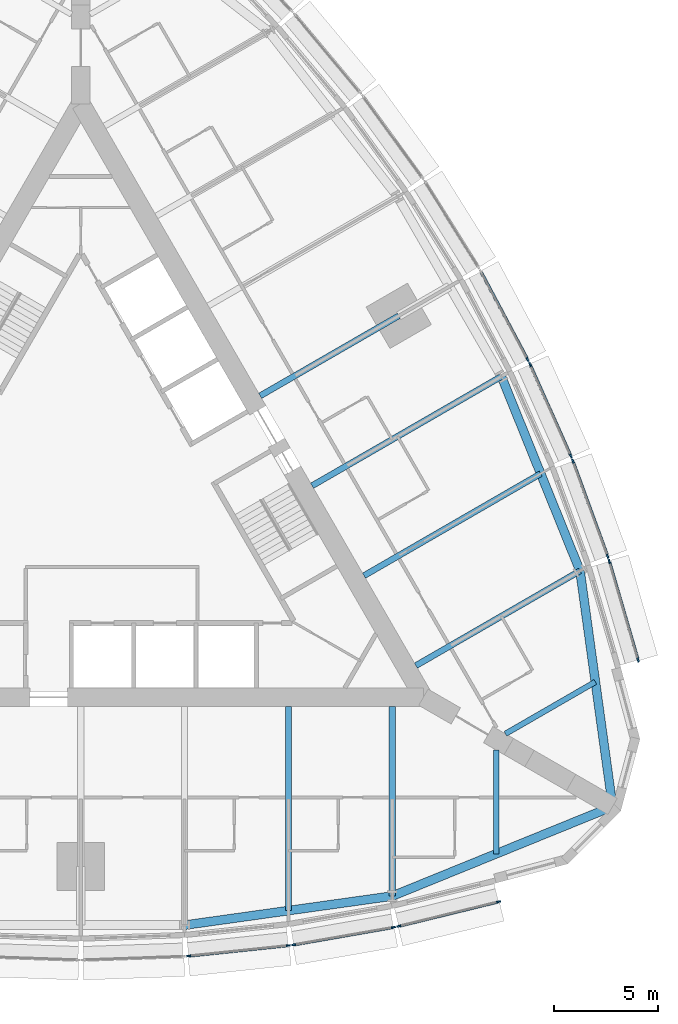
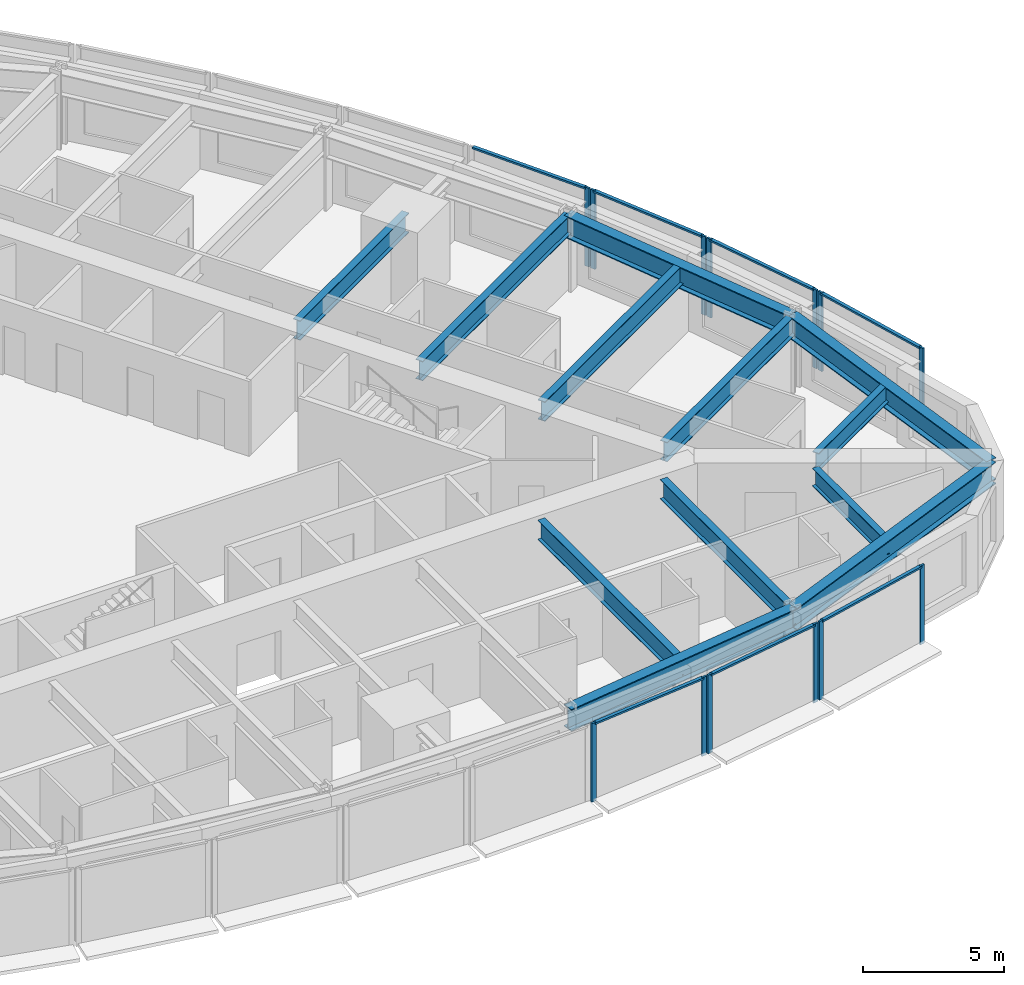
# One storey, part 3 of 14: 20 members, 12 beams, 7 elements without a shape of their own.
"""IFC4 building model written with IfcOpenShell, lengths in metres."""

from ifc_helpers import new_model, si_unit, direction, frame, origin, origin_2d, place, context, subcontext, project, spatial, rectangle, i_section, extrude, material, material_profile, profile_set, type_object, element, aggregate, save


model = new_model("IFC4")

# Units and contexts
model_context = context("Model", 3, precision=1e-05, world=origin(), true_north=direction((0.0, 1.0)))
body_context = subcontext(model_context, "Body", "Model", "MODEL_VIEW")
ifc_project = project(units=[si_unit("LENGTHUNIT", "METRE"), si_unit("AREAUNIT", "SQUARE_METRE"), si_unit("VOLUMEUNIT", "CUBIC_METRE"), si_unit("PLANEANGLEUNIT", "RADIAN"), si_unit("MASSUNIT", "GRAM", prefix="KILO")], contexts=[model_context])

# Site, building, storey
site_placement = place(None, origin())
site = spatial("IfcSite", under=ifc_project, at=site_placement, CompositionType="ELEMENT")
building_placement = place(site_placement, origin())
building = spatial("IfcBuilding", under=site, at=building_placement, Name="Trikona Tower", CompositionType="ELEMENT")
storey_placement = place(building_placement, frame((0.0, 0.0, 145.300048828125)))
storey = spatial("IfcBuildingStorey", under=building, at=storey_placement, Name="L38", CompositionType="ELEMENT", Elevation=145.300048828125)

# Curtain wall, members
ifc_material_1 = material(Name="Aluminium curtain wall system", Category="aluminium")
curtain_wall_type = type_object("IfcCurtainWallType", Name="Curtain wall DS2", PredefinedType="NOTDEFINED", material=ifc_material_1)
curtain_wall_1_placement = place(storey_placement, origin())
curtain_wall_1 = element("IfcCurtainWall", 1, at=curtain_wall_1_placement, inside=storey, type_object=curtain_wall_type, Name="Curtain wall DS2 L38", PredefinedType="NOTDEFINED")
ifc_material_2 = material(Name="Aluminium mullion, pale anodised", Category="aluminium")
ifc_material_profile_1 = material_profile(ifc_material_2, rectangle(XDim=0.080078125, YDim=0.199951171875, at=origin_2d()), Name="MUL-DS2")
ifc_profile_set_1 = profile_set([ifc_material_profile_1], Name="Aluminium mullion, pale anodised")
member_type_1 = type_object("IfcMemberType", Name="Mullion DS2 80x200", PredefinedType="MULLION", material=ifc_profile_set_1)
member_1_placement = place(storey_placement, frame((5.193359375, -21.98486328125, 0.0), z_axis=(0.0, 0.0, 1.0), x_axis=(-0.104433387357, 0.994531883654, 0.0)))
member_1 = element("IfcMember", 2, at=member_1_placement, type_object=member_type_1, Name="CW-DS2 mullion 1", PredefinedType="MULLION", context=body_context, shape_type="SweptSolid", body=[
    extrude(rectangle(XDim=0.080078125, YDim=0.199951171875, at=origin_2d()), origin(), (0.0, 0.0, 1.0), 3.39990234375),
])
member_2_placement = place(storey_placement, frame((9.99462890625, -21.480712890625, 0.0), z_axis=(0.0, 0.0, 1.0), x_axis=(-0.104433387357, 0.994531883654, 0.0)))
member_2 = element("IfcMember", 3, at=member_2_placement, type_object=member_type_1, Name="CW-DS2 mullion 2", PredefinedType="MULLION", context=body_context, shape_type="SweptSolid", body=[
    extrude(rectangle(XDim=0.080078125, YDim=0.199951171875, at=origin_2d()), origin(), (0.0, 0.0, 1.0), 3.39990234375),
])

curtain_wall_2_placement = place(storey_placement, origin())
curtain_wall_2 = element("IfcCurtainWall", 4, at=curtain_wall_2_placement, inside=storey, type_object=curtain_wall_type, Name="Curtain wall DS2 L38", PredefinedType="NOTDEFINED")
member_3_placement = place(storey_placement, frame((10.253662109375, -21.444580078125, 0.0), z_axis=(0.0, 0.0, 1.0), x_axis=(-0.17237739505, 0.985030981074, 0.0)))
member_3 = element("IfcMember", 5, at=member_3_placement, type_object=member_type_1, Name="CW-DS2 mullion 1", PredefinedType="MULLION", context=body_context, shape_type="SweptSolid", body=[
    extrude(rectangle(XDim=0.080078125, YDim=0.199951171875, at=origin_2d()), origin(), (0.0, 0.0, 1.0), 3.39990234375),
])
member_4_placement = place(storey_placement, frame((15.056640625, -20.60400390625, 0.0), z_axis=(0.0, 0.0, 1.0), x_axis=(-0.17237739505, 0.985030981074, 0.0)))
member_4 = element("IfcMember", 6, at=member_4_placement, type_object=member_type_1, Name="CW-DS2 mullion 2", PredefinedType="MULLION", context=body_context, shape_type="SweptSolid", body=[
    extrude(rectangle(XDim=0.080078125, YDim=0.199951171875, at=origin_2d()), origin(), (0.0, 0.0, 1.0), 3.39990234375),
])

curtain_wall_3_placement = place(storey_placement, origin())
curtain_wall_3 = element("IfcCurtainWall", 7, at=curtain_wall_3_placement, inside=storey, type_object=curtain_wall_type, Name="Curtain wall DS2 L38", PredefinedType="NOTDEFINED")
member_5_placement = place(storey_placement, frame((15.311279296875, -20.550537109375, 0.0), z_axis=(0.0, 0.0, 1.0), x_axis=(-0.237970204243, 0.971272455026, 0.0)))
member_5 = element("IfcMember", 8, at=member_5_placement, type_object=member_type_1, Name="CW-DS2 mullion 1", PredefinedType="MULLION", context=body_context, shape_type="SweptSolid", body=[
    extrude(rectangle(XDim=0.080078125, YDim=0.199951171875, at=origin_2d()), origin(), (0.0, 0.0, 1.0), 3.39990234375),
])
member_6_placement = place(storey_placement, frame((20.116943359375, -19.373046875, 0.0), z_axis=(0.0, 0.0, 1.0), x_axis=(-0.237970204243, 0.971272455026, 0.0)))
member_6 = element("IfcMember", 9, at=member_6_placement, type_object=member_type_1, Name="CW-DS2 mullion 2", PredefinedType="MULLION", context=body_context, shape_type="SweptSolid", body=[
    extrude(rectangle(XDim=0.080078125, YDim=0.199951171875, at=origin_2d()), origin(), (0.0, 0.0, 1.0), 3.39990234375),
])

curtain_wall_4_placement = place(storey_placement, origin())
curtain_wall_4 = element("IfcCurtainWall", 10, at=curtain_wall_4_placement, inside=storey, type_object=curtain_wall_type, Name="Curtain wall DS2 L38", PredefinedType="NOTDEFINED")
member_7_placement = place(storey_placement, frame((26.836181640625, -7.7353515625, 0.0), z_axis=(0.0, 0.0, 1.0), x_axis=(-0.96013310152, -0.279543247757, 0.0)))
member_7 = element("IfcMember", 11, at=member_7_placement, type_object=member_type_1, Name="CW-DS2 mullion 1", PredefinedType="MULLION", context=body_context, shape_type="SweptSolid", body=[
    extrude(rectangle(XDim=0.080078125, YDim=0.199951171875, at=origin_2d()), origin(), (0.0, 0.0, 1.0), 3.39990234375),
])
member_8_placement = place(storey_placement, frame((25.452880859375, -2.984619140625, 0.0), z_axis=(0.0, 0.0, 1.0), x_axis=(-0.96013310152, -0.279543247757, 0.0)))
member_8 = element("IfcMember", 12, at=member_8_placement, type_object=member_type_1, Name="CW-DS2 mullion 2", PredefinedType="MULLION", context=body_context, shape_type="SweptSolid", body=[
    extrude(rectangle(XDim=0.080078125, YDim=0.199951171875, at=origin_2d()), origin(), (0.0, 0.0, 1.0), 3.39990234375),
])

curtain_wall_5_placement = place(storey_placement, origin())
curtain_wall_5 = element("IfcCurtainWall", 13, at=curtain_wall_5_placement, inside=storey, type_object=curtain_wall_type, Name="Curtain wall DS2 L38", PredefinedType="NOTDEFINED")
member_9_placement = place(storey_placement, frame((25.371826171875, -2.737548828125, 0.0), z_axis=(0.0, 0.0, 1.0), x_axis=(-0.939253790978, -0.343223420143, 0.0)))
member_9 = element("IfcMember", 14, at=member_9_placement, type_object=member_type_1, Name="CW-DS2 mullion 1", PredefinedType="MULLION", context=body_context, shape_type="SweptSolid", body=[
    extrude(rectangle(XDim=0.080078125, YDim=0.199951171875, at=origin_2d()), origin(), (0.0, 0.0, 1.0), 3.39990234375),
])
member_10_placement = place(storey_placement, frame((23.6982421875, 1.84228515625, 0.0), z_axis=(0.0, 0.0, 1.0), x_axis=(-0.939253790978, -0.343223420143, 0.0)))
member_10 = element("IfcMember", 15, at=member_10_placement, type_object=member_type_1, Name="CW-DS2 mullion 2", PredefinedType="MULLION", context=body_context, shape_type="SweptSolid", body=[
    extrude(rectangle(XDim=0.080078125, YDim=0.199951171875, at=origin_2d()), origin(), (0.0, 0.0, 1.0), 3.39990234375),
])

curtain_wall_6_placement = place(storey_placement, origin())
curtain_wall_6 = element("IfcCurtainWall", 16, at=curtain_wall_6_placement, inside=storey, type_object=curtain_wall_type, Name="Curtain wall DS2 L38", PredefinedType="NOTDEFINED")
member_11_placement = place(storey_placement, frame((23.60009765625, 2.0849609375, 0.0), z_axis=(0.0, 0.0, 1.0), x_axis=(-0.913501208767, -0.406836013132, 0.0)))
member_11 = element("IfcMember", 17, at=member_11_placement, type_object=member_type_1, Name="CW-DS2 mullion 1", PredefinedType="MULLION", context=body_context, shape_type="SweptSolid", body=[
    extrude(rectangle(XDim=0.080078125, YDim=0.199951171875, at=origin_2d()), origin(), (0.0, 0.0, 1.0), 3.39990234375),
])
member_12_placement = place(storey_placement, frame((21.63623046875, 6.494873046875, 0.0), z_axis=(0.0, 0.0, 1.0), x_axis=(-0.913501208767, -0.406836013132, 0.0)))
member_12 = element("IfcMember", 18, at=member_12_placement, type_object=member_type_1, Name="CW-DS2 mullion 2", PredefinedType="MULLION", context=body_context, shape_type="SweptSolid", body=[
    extrude(rectangle(XDim=0.080078125, YDim=0.199951171875, at=origin_2d()), origin(), (0.0, 0.0, 1.0), 3.39990234375),
])

# Curtain wall, member
curtain_wall_7_placement = place(storey_placement, origin())
curtain_wall_7 = element("IfcCurtainWall", 19, at=curtain_wall_7_placement, inside=storey, type_object=curtain_wall_type, Name="Curtain wall DS2 L38", PredefinedType="NOTDEFINED")
member_13_placement = place(storey_placement, frame((21.52099609375, 6.730712890625, 0.0), z_axis=(0.0, 0.0, 1.0), x_axis=(-0.882996107343, -0.469380308937, 0.0)))
member_13 = element("IfcMember", 20, at=member_13_placement, type_object=member_type_1, Name="CW-DS2 mullion 1", PredefinedType="MULLION", context=body_context, shape_type="SweptSolid", body=[
    extrude(rectangle(XDim=0.080078125, YDim=0.199951171875, at=origin_2d()), origin(), (0.0, 0.0, 1.0), 3.39990234375),
])

# Beams
ifc_material_3 = material(Name="Steel ASTM A992 Grade 50", Category="steel")
ifc_material_profile_2 = material_profile(ifc_material_3, i_section(OverallWidth=0.2666015625, OverallDepth=0.76953125, WebThickness=0.015625, FlangeThickness=0.025390625, at=origin_2d()), Name="W30X132")
ifc_profile_set_2 = profile_set([ifc_material_profile_2], Name="Steel ASTM A992 Grade 50")
beam_type_1 = type_object("IfcBeamType", Name="Steel beam W30x132 (wedge)", PredefinedType="BEAM", material=ifc_profile_set_2)
beam_1_placement = place(storey_placement, frame((20.0, -12.066650390625, 2.85009765625), z_axis=(0.0, -1.0, 0.0), x_axis=(1.0, 0.0, 0.0)))
element("IfcBeam", 21, at=beam_1_placement, inside=storey, type_object=beam_type_1, Name="Floor beam L39 F1 u20", PredefinedType="BEAM", context=body_context, shape_type="SweptSolid", body=[
    extrude(i_section(OverallWidth=0.2666015625, OverallDepth=0.76953125, WebThickness=0.015625, FlangeThickness=0.025390625, at=origin_2d()), origin(), (0.0, 0.0, 1.0), 5.00048828125),
])
beam_2_placement = place(storey_placement, frame((20.449951171875, -11.287109375, 2.85009765625), z_axis=(0.866038434829, 0.49997742889, 0.0), x_axis=(-0.49997742889, 0.866038434829, 0.0)))
element("IfcBeam", 22, at=beam_2_placement, inside=storey, type_object=beam_type_1, Name="Floor beam L39 F2 u-20", PredefinedType="BEAM", context=body_context, shape_type="SweptSolid", body=[
    extrude(i_section(OverallWidth=0.2666015625, OverallDepth=0.76953125, WebThickness=0.015625, FlangeThickness=0.025390625, at=origin_2d()), origin(), (0.0, 0.0, 1.0), 5.000732421875),
])
ifc_material_4 = material(Name="Steel ASTM A992 Grade 50", Category="steel")
ifc_material_profile_3 = material_profile(ifc_material_4, i_section(OverallWidth=0.2919921875, OverallDepth=0.845703125, WebThickness=0.015380859375, FlangeThickness=0.0244140625, at=origin_2d()), Name="W33X141")
ifc_profile_set_3 = profile_set([ifc_material_profile_3], Name="Steel ASTM A992 Grade 50")
beam_type_2 = type_object("IfcBeamType", Name="Steel beam W33x141 (radial typ)", PredefinedType="BEAM", material=ifc_profile_set_3)
beam_3_placement = place(storey_placement, frame((10.0, -9.976318359375, 2.81201171875), z_axis=(0.0, -1.0, 0.0), x_axis=(1.0, 0.0, 0.0)))
element("IfcBeam", 23, at=beam_3_placement, inside=storey, type_object=beam_type_2, Name="Floor beam L39 F1 u10", PredefinedType="BEAM", context=body_context, shape_type="SweptSolid", body=[
    extrude(i_section(OverallWidth=0.2919921875, OverallDepth=0.845703125, WebThickness=0.015380859375, FlangeThickness=0.0244140625, at=origin_2d()), origin(), (0.0, 0.0, 1.0), 9.823974609375),
])
beam_4_placement = place(storey_placement, frame((15.0, -9.976318359375, 2.81201171875), z_axis=(0.0, -1.0, 0.0), x_axis=(1.0, 0.0, 0.0)))
element("IfcBeam", 24, at=beam_4_placement, inside=storey, type_object=beam_type_2, Name="Floor beam L39 F1 u15", PredefinedType="BEAM", context=body_context, shape_type="SweptSolid", body=[
    extrude(i_section(OverallWidth=0.2919921875, OverallDepth=0.845703125, WebThickness=0.015380859375, FlangeThickness=0.0244140625, at=origin_2d()), origin(), (0.0, 0.0, 1.0), 9.123779296875),
])
beam_5_placement = place(storey_placement, frame((16.1396484375, -8.002197265625, 2.81201171875), z_axis=(0.866024725532, 0.500001174766, 0.0), x_axis=(-0.500001174766, 0.866024725532, 0.0)))
element("IfcBeam", 25, at=beam_5_placement, inside=storey, type_object=beam_type_2, Name="Floor beam L39 F2 u-15", PredefinedType="BEAM", context=body_context, shape_type="SweptSolid", body=[
    extrude(i_section(OverallWidth=0.2919921875, OverallDepth=0.845703125, WebThickness=0.015380859375, FlangeThickness=0.0244140625, at=origin_2d()), origin(), (0.0, 0.0, 1.0), 9.1240234375),
])
beam_6_placement = place(storey_placement, frame((13.6396484375, -3.672119140625, 2.81201171875), z_axis=(0.866020046725, 0.500009278584, 0.0), x_axis=(-0.500009278584, 0.866020046725, 0.0)))
element("IfcBeam", 26, at=beam_6_placement, inside=storey, type_object=beam_type_2, Name="Floor beam L39 F2 u-10", PredefinedType="BEAM", context=body_context, shape_type="SweptSolid", body=[
    extrude(i_section(OverallWidth=0.2919921875, OverallDepth=0.845703125, WebThickness=0.015380859375, FlangeThickness=0.0244140625, at=origin_2d()), origin(), (0.0, 0.0, 1.0), 9.823974609375),
])
beam_7_placement = place(storey_placement, frame((11.1396484375, 0.657958984375, 2.81201171875), z_axis=(0.866026035623, 0.499998905622, 0.0), x_axis=(-0.499998905622, 0.866026035623, 0.0)))
element("IfcBeam", 27, at=beam_7_placement, inside=storey, type_object=beam_type_2, Name="Floor beam L39 F2 u-5", PredefinedType="BEAM", context=body_context, shape_type="SweptSolid", body=[
    extrude(i_section(OverallWidth=0.2919921875, OverallDepth=0.845703125, WebThickness=0.015380859375, FlangeThickness=0.0244140625, at=origin_2d()), origin(), (0.0, 0.0, 1.0), 10.52392578125),
])
beam_8_placement = place(storey_placement, frame((8.6396484375, 4.988037109375, 2.81201171875), z_axis=(0.866017246294, 0.500014128921, 0.0), x_axis=(-0.500014128921, 0.866017246294, 0.0)))
element("IfcBeam", 28, at=beam_8_placement, inside=storey, type_object=beam_type_2, Name="Floor beam L39 F2 u0", PredefinedType="BEAM", context=body_context, shape_type="SweptSolid", body=[
    extrude(i_section(OverallWidth=0.2919921875, OverallDepth=0.845703125, WebThickness=0.015380859375, FlangeThickness=0.0244140625, at=origin_2d()), origin(), (0.0, 0.0, 1.0), 7.704345703125),
])
ifc_material_5 = material(Name="Steel ASTM A992 Grade 50", Category="steel")
ifc_material_profile_4 = material_profile(ifc_material_5, i_section(OverallWidth=0.424072265625, OverallDepth=0.947509765625, WebThickness=0.02392578125, FlangeThickness=0.042724609375, at=origin_2d()), Name="W36X302")
ifc_profile_set_4 = profile_set([ifc_material_profile_4], Name="Steel ASTM A992 Grade 50")
beam_type_3 = type_object("IfcBeamType", Name="Steel beam W36x302 (spandrel)", PredefinedType="SPANDREL", material=ifc_profile_set_4)
beam_9_placement = place(storey_placement, frame((5.0, -20.500244140625, 2.76123046875), z_axis=(0.990339754644, 0.13866207258, 0.0), x_axis=(-0.13866207258, 0.990339754644, 0.0)))
element("IfcBeam", 29, at=beam_9_placement, inside=storey, type_object=beam_type_3, Name="Spandrel beam L39 F1-4", PredefinedType="SPANDREL", context=body_context, shape_type="SweptSolid", body=[
    extrude(i_section(OverallWidth=0.424072265625, OverallDepth=0.947509765625, WebThickness=0.02392578125, FlangeThickness=0.042724609375, at=origin_2d()), origin(), (0.0, 0.0, 1.0), 10.09765625),
])
for number, where, z_axis, x_axis, name in (
    (30, (15.0, -19.10009765625, 2.76123046875), (0.926359695662, 0.376640032728, 0.0), (-0.376640032728, 0.926359695662, 0.0), "Spandrel beam L39 F1-5"),
    (31, (25.6103515625, -14.7861328125, 2.76123046875), (-0.136991535842, 0.990572218017, 0.0), (-0.990572218017, -0.136991535842, 0.0), "Spandrel beam L39 F2-1"),
):
    element("IfcBeam", number, at=place(storey_placement, frame(where, z_axis=z_axis, x_axis=x_axis)), inside=storey, type_object=beam_type_3, Name=name, PredefinedType="SPANDREL", context=body_context, shape_type="SweptSolid", body=[
        extrude(i_section(OverallWidth=0.424072265625, OverallDepth=0.947509765625, WebThickness=0.02392578125, FlangeThickness=0.042724609375, at=origin_2d()), origin(), (0.0, 0.0, 1.0), 11.453857421875),
    ])
beam_10_placement = place(storey_placement, frame((24.041259765625, -3.440185546875, 2.76123046875), z_axis=(-0.375106193787, 0.926981846307, 0.0), x_axis=(-0.926981846307, -0.375106193787, 0.0)))
element("IfcBeam", 32, at=beam_10_placement, inside=storey, type_object=beam_type_3, Name="Spandrel beam L39 F2-2", PredefinedType="SPANDREL", context=body_context, shape_type="SweptSolid", body=[
    extrude(i_section(OverallWidth=0.424072265625, OverallDepth=0.947509765625, WebThickness=0.02392578125, FlangeThickness=0.042724609375, at=origin_2d()), origin(), (0.0, 0.0, 1.0), 10.097412109375),
])

# Member
ifc_material_6 = material(Name="Aluminium transom, pale anodised", Category="aluminium")
ifc_material_profile_5 = material_profile(ifc_material_6, rectangle(XDim=0.139892578125, YDim=0.080078125, at=origin_2d()), Name="TRN-DS2")
ifc_profile_set_5 = profile_set([ifc_material_profile_5], Name="Aluminium transom, pale anodised")
member_type_2 = type_object("IfcMemberType", Name="Transom DS2 80x140", PredefinedType="USERDEFINED", material=ifc_profile_set_5)
member_14_placement = place(storey_placement, frame((5.233154296875, -21.980712890625, 3.35986328125), z_axis=(0.99453106441, 0.104441188822, 0.0), x_axis=(-0.104441188822, 0.99453106441, 0.0)))
member_14 = element("IfcMember", 33, at=member_14_placement, type_object=member_type_2, Name="CW-DS2 transom 1.1", ObjectType="TRANSOM", PredefinedType="USERDEFINED", context=body_context, shape_type="SweptSolid", body=[
    extrude(rectangle(XDim=0.139892578125, YDim=0.080078125, at=origin_2d()), origin(), (0.0, 0.0, 1.0), 4.74755859375),
])

aggregate(curtain_wall_1, [member_1, member_2, member_14])

member_15_placement = place(storey_placement, frame((10.29296875, -21.4375, 3.35986328125), z_axis=(0.98503262804, 0.172367983387, 0.0), x_axis=(-0.172367983387, 0.98503262804, 0.0)))
member_15 = element("IfcMember", 34, at=member_15_placement, type_object=member_type_2, Name="CW-DS2 transom 1.1", ObjectType="TRANSOM", PredefinedType="USERDEFINED", context=body_context, shape_type="SweptSolid", body=[
    extrude(rectangle(XDim=0.139892578125, YDim=0.080078125, at=origin_2d()), origin(), (0.0, 0.0, 1.0), 4.7958984375),
])

aggregate(curtain_wall_2, [member_3, member_4, member_15])

member_16_placement = place(storey_placement, frame((15.35009765625, -20.541015625, 3.35986328125), z_axis=(0.971270583303, 0.237977843528, 0.0), x_axis=(-0.237977843528, 0.971270583303, 0.0)))
member_16 = element("IfcMember", 35, at=member_16_placement, type_object=member_type_2, Name="CW-DS2 transom 1.1", ObjectType="TRANSOM", PredefinedType="USERDEFINED", context=body_context, shape_type="SweptSolid", body=[
    extrude(rectangle(XDim=0.139892578125, YDim=0.080078125, at=origin_2d()), origin(), (0.0, 0.0, 1.0), 4.867919921875),
])

aggregate(curtain_wall_3, [member_5, member_6, member_16])

member_17_placement = place(storey_placement, frame((26.824951171875, -7.69677734375, 3.35986328125), z_axis=(-0.279566628153, 0.960126293996, 0.0), x_axis=(-0.960126293996, -0.279566628153, 0.0)))
member_17 = element("IfcMember", 36, at=member_17_placement, type_object=member_type_2, Name="CW-DS2 transom 1.1", ObjectType="TRANSOM", PredefinedType="USERDEFINED", context=body_context, shape_type="SweptSolid", body=[
    extrude(rectangle(XDim=0.139892578125, YDim=0.080078125, at=origin_2d()), origin(), (0.0, 0.0, 1.0), 4.86767578125),
])

aggregate(curtain_wall_4, [member_7, member_8, member_17])

member_18_placement = place(storey_placement, frame((25.358154296875, -2.699951171875, 3.35986328125), z_axis=(-0.343205907674, 0.939260190223, 0.0), x_axis=(-0.939260190223, -0.343205907674, 0.0)))
member_18 = element("IfcMember", 37, at=member_18_placement, type_object=member_type_2, Name="CW-DS2 transom 1.1", ObjectType="TRANSOM", PredefinedType="USERDEFINED", context=body_context, shape_type="SweptSolid", body=[
    extrude(rectangle(XDim=0.139892578125, YDim=0.080078125, at=origin_2d()), origin(), (0.0, 0.0, 1.0), 4.7958984375),
])

aggregate(curtain_wall_5, [member_9, member_10, member_18])

member_19_placement = place(storey_placement, frame((23.583740234375, 2.12158203125, 3.35986328125), z_axis=(-0.406839769607, 0.913499535778, 0.0), x_axis=(-0.913499535778, -0.406839769607, 0.0)))
member_19 = element("IfcMember", 38, at=member_19_placement, type_object=member_type_2, Name="CW-DS2 transom 1.1", ObjectType="TRANSOM", PredefinedType="USERDEFINED", context=body_context, shape_type="SweptSolid", body=[
    extrude(rectangle(XDim=0.139892578125, YDim=0.080078125, at=origin_2d()), origin(), (0.0, 0.0, 1.0), 4.747314453125),
])

aggregate(curtain_wall_6, [member_11, member_12, member_19])

member_20_placement = place(storey_placement, frame((21.502197265625, 6.76611328125, 3.35986328125), z_axis=(-0.469364343408, 0.883004594063, 0.0), x_axis=(-0.883004594063, -0.469364343408, 0.0)))
member_20 = element("IfcMember", 39, at=member_20_placement, type_object=member_type_2, Name="CW-DS2 transom 1.1", ObjectType="TRANSOM", PredefinedType="USERDEFINED", context=body_context, shape_type="SweptSolid", body=[
    extrude(rectangle(XDim=0.139892578125, YDim=0.080078125, at=origin_2d()), origin(), (0.0, 0.0, 1.0), 4.722900390625),
])

aggregate(curtain_wall_7, [member_13, member_20])

save(model, "model.ifc")
